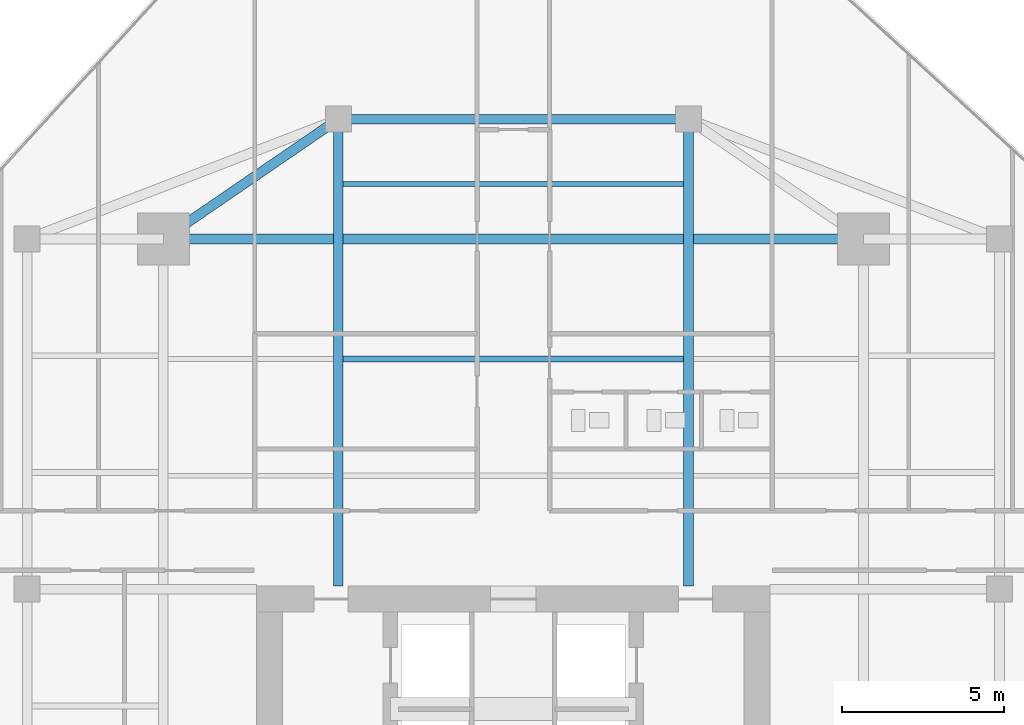
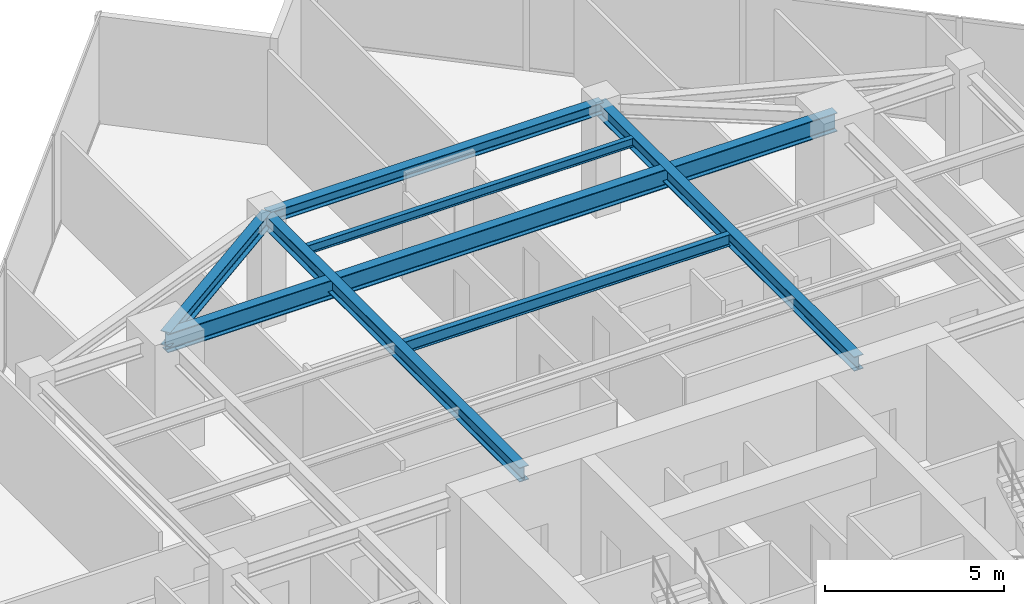
# One storey, part 16 of 26: 7 beams.
"""IFC4 building model written with IfcOpenShell, lengths in metres."""

from ifc_helpers import new_model, si_unit, direction, frame, origin, origin_2d, place, context, subcontext, project, spatial, i_section, extrude, source, transform, mapped, material, material_profile, profile_set, type_object, type_shapes, element, save


model = new_model("IFC4")

# Units and contexts
model_context = context("Model", 3, precision=1e-05, world=origin(), true_north=direction((0.0, 1.0)))
body_context = subcontext(model_context, "Body", "Model", "MODEL_VIEW")
ifc_project = project(units=[si_unit("LENGTHUNIT", "METRE"), si_unit("AREAUNIT", "SQUARE_METRE"), si_unit("VOLUMEUNIT", "CUBIC_METRE"), si_unit("PLANEANGLEUNIT", "RADIAN"), si_unit("MASSUNIT", "GRAM", prefix="KILO")], contexts=[model_context])

# Site, building, storey
site_placement = place(None, origin())
site = spatial("IfcSite", under=ifc_project, at=site_placement, CompositionType="ELEMENT")
building_placement = place(site_placement, origin())
building = spatial("IfcBuilding", under=site, at=building_placement, Name="Krantzveldt Concourse Tower", CompositionType="ELEMENT")
storey_placement = place(building_placement, frame((0.0, 0.0, 223.10009765625)))
storey = spatial("IfcBuildingStorey", under=building, at=storey_placement, Name="L54", CompositionType="ELEMENT", Elevation=223.10009765625)

# Beams
ifc_material = material(Name="Steel S355JR", Category="steel")
ifc_material_profile_1 = material_profile(ifc_material, i_section(OverallWidth=0.300048828125, OverallDepth=0.639892578125, WebThickness=0.013427734375, FlangeThickness=0.02587890625, FilletRadius=0.027099609375, at=origin_2d()), Name="Steel S355JR", Category="steel")
ifc_profile_set_1 = profile_set([ifc_material_profile_1], Name="Steel S355JR - HEA 650")
beam_type_1 = type_object("IfcBeamType", Name="BM-B-HEA650", PredefinedType="BEAM", material=ifc_profile_set_1)
shared_shape_1 = source(origin(), body_context, "Body", "SweptSolid", [
    extrude(i_section(OverallWidth=0.300048828125, OverallDepth=0.639892578125, WebThickness=0.013427734375, FlangeThickness=0.02587890625, FilletRadius=0.027099609375, at=origin_2d()), origin(), (0.0, 0.0, 1.0), 21.60009765625),
])
type_shapes(beam_type_1, [shared_shape_1])
beam_1_placement = place(storey_placement, frame((25.199951171875, 37.5, 3.349853515625), z_axis=(1.0, 0.0, 0.0), x_axis=(0.0, 1.0, 0.0)))
element("IfcBeam", 1, at=beam_1_placement, inside=storey, type_object=beam_type_1, Name="L54 Tower Girder BG-MN", PredefinedType="BEAM", context=body_context, shape_type="MappedRepresentation", body=[
    mapped(shared_shape_1, transform((0.0, 0.0, 0.0), x_axis=(1.0, 0.0, 0.0), y_axis=(0.0, 1.0, 0.0), z_axis=(0.0, 0.0, 1.0), scale=1.0)),
])
ifc_material_profile_2 = material_profile(ifc_material, i_section(OverallWidth=0.179931640625, OverallDepth=0.39990234375, WebThickness=0.008544921875, FlangeThickness=0.013427734375, FilletRadius=0.02099609375, at=origin_2d()), Name="Steel S355JR", Category="steel")
ifc_profile_set_2 = profile_set([ifc_material_profile_2], Name="Steel S355JR - IPE 400")
beam_type_2 = type_object("IfcBeamType", Name="BM-J-IPE400", PredefinedType="JOIST", material=ifc_profile_set_2)
shared_shape_2 = source(origin(), body_context, "Body", "SweptSolid", [
    extrude(i_section(OverallWidth=0.179931640625, OverallDepth=0.39990234375, WebThickness=0.008544921875, FlangeThickness=0.013427734375, FilletRadius=0.02099609375, at=origin_2d()), origin(), (0.0, 0.0, 1.0), 10.5),
])
type_shapes(beam_type_2, [shared_shape_2])
beam_2_placement = place(storey_placement, frame((30.75, 33.800048828125, 3.469970703125), z_axis=(1.0, 0.0, 0.0), x_axis=(0.0, 1.0, 0.0)))
element("IfcBeam", 2, at=beam_2_placement, inside=storey, type_object=beam_type_2, Name="L54 Secondary Floor Joist JN-C2", PredefinedType="JOIST", context=body_context, shape_type="MappedRepresentation", body=[
    mapped(shared_shape_2, transform((0.0, 0.0, 0.0), x_axis=(1.0, 0.0, 0.0), y_axis=(0.0, 1.0, 0.0), z_axis=(0.0, 0.0, 1.0), scale=1.0)),
])
ifc_material_profile_3 = material_profile(ifc_material, i_section(OverallWidth=0.300048828125, OverallDepth=0.389892578125, WebThickness=0.010986328125, FlangeThickness=0.01904296875, FilletRadius=0.027099609375, at=origin_2d()), Name="Steel S355JR", Category="steel")
ifc_profile_set_3 = profile_set([ifc_material_profile_3], Name="Steel S355JR - HEA 400")
beam_type_3 = type_object("IfcBeamType", Name="BM-SP-HEA400", PredefinedType="SPANDREL", material=ifc_profile_set_3)
shared_shape_3 = source(origin(), body_context, "Body", "SweptSolid", [
    extrude(i_section(OverallWidth=0.300048828125, OverallDepth=0.389892578125, WebThickness=0.010986328125, FlangeThickness=0.01904296875, FilletRadius=0.027099609375, at=origin_2d()), origin(), (0.0, 0.0, 1.0), 10.7998046875),
])
type_shapes(beam_type_3, [shared_shape_3])
beam_3_placement = place(storey_placement, frame((30.60009765625, 41.199951171875, 3.474853515625), z_axis=(1.0, 0.0, 0.0), x_axis=(0.0, 1.0, 0.0)))
element("IfcBeam", 3, at=beam_3_placement, inside=storey, type_object=beam_type_3, Name="L54 Tower Girder SP-R04", PredefinedType="SPANDREL", context=body_context, shape_type="MappedRepresentation", body=[
    mapped(shared_shape_3, transform((0.0, 0.0, 0.0), x_axis=(1.0, 0.0, 0.0), y_axis=(0.0, 1.0, 0.0), z_axis=(0.0, 0.0, 1.0), scale=1.0)),
])
ifc_material_profile_4 = material_profile(ifc_material, i_section(OverallWidth=0.300048828125, OverallDepth=0.489990234375, WebThickness=0.011962890625, FlangeThickness=0.02294921875, FilletRadius=0.027099609375, at=origin_2d()), Name="Steel S355JR", Category="steel")
ifc_profile_set_4 = profile_set([ifc_material_profile_4], Name="Steel S355JR - HEA 500")
beam_type_4 = type_object("IfcBeamType", Name="BM-B-HEA500", PredefinedType="BEAM", material=ifc_profile_set_4)
shared_shape_4 = source(origin(), body_context, "Body", "SweptSolid", [
    extrude(i_section(OverallWidth=0.300048828125, OverallDepth=0.489990234375, WebThickness=0.011962890625, FlangeThickness=0.02294921875, FilletRadius=0.027099609375, at=origin_2d()), origin(), (0.0, 0.0, 1.0), 14.39990234375),
])
for number, where, z_axis, x_axis, name in (
    (4, (30.60009765625, 26.800048828125, 3.4248046875), (0.0, 1.0, 0.0), (-1.0, 0.0, 0.0), "L54 Tower Girder BG-CNW"),
    (5, (41.39990234375, 26.800048828125, 3.4248046875), (0.0, 1.0, 0.0), (-1.0, 0.0, 0.0), "L54 Tower Girder BG-CNE"),
):
    element("IfcBeam", number, at=place(storey_placement, frame(where, z_axis=z_axis, x_axis=x_axis)), inside=storey, type_object=beam_type_4, Name=name, PredefinedType="BEAM", context=body_context, shape_type="MappedRepresentation", body=[
        mapped(shared_shape_4, transform((0.0, 0.0, 0.0), x_axis=(1.0, 0.0, 0.0), y_axis=(0.0, 1.0, 0.0), z_axis=(0.0, 0.0, 1.0), scale=1.0)),
    ])
shared_shape_5 = source(origin(), body_context, "Body", "SweptSolid", [
    extrude(i_section(OverallWidth=0.300048828125, OverallDepth=0.489990234375, WebThickness=0.011962890625, FlangeThickness=0.02294921875, FilletRadius=0.027099609375, at=origin_2d()), origin(), (0.0, 0.0, 1.0), 6.546142578125),
])
type_shapes(beam_type_4, [shared_shape_4, shared_shape_5])
beam_4_placement = place(storey_placement, frame((25.199951171875, 37.5, 3.4248046875), z_axis=(0.824942999484, 0.565215930068, 0.0), x_axis=(-0.565215930068, 0.824942999484, 0.0)))
element("IfcBeam", 6, at=beam_4_placement, inside=storey, type_object=beam_type_4, Name="L54 Tower Girder BR-RL4", PredefinedType="BEAM", context=body_context, shape_type="MappedRepresentation", body=[
    mapped(shared_shape_5, transform((0.0, 0.0, 0.0), x_axis=(1.0, 0.0, 0.0), y_axis=(0.0, 1.0, 0.0), z_axis=(0.0, 0.0, 1.0), scale=1.0)),
])
ifc_material_profile_5 = material_profile(ifc_material, i_section(OverallWidth=0.14990234375, OverallDepth=0.300048828125, WebThickness=0.007080078125, FlangeThickness=0.0107421875, FilletRadius=0.014892578125, at=origin_2d()), Name="Steel S355JR", Category="steel")
ifc_profile_set_5 = profile_set([ifc_material_profile_5], Name="Steel S355JR - IPE 300")
beam_type_5 = type_object("IfcBeamType", Name="BM-J-IPE300", PredefinedType="JOIST", material=ifc_profile_set_5)
shared_shape_6 = source(origin(), body_context, "Body", "SweptSolid", [
    extrude(i_section(OverallWidth=0.14990234375, OverallDepth=0.300048828125, WebThickness=0.007080078125, FlangeThickness=0.0107421875, FilletRadius=0.014892578125, at=origin_2d()), origin(), (0.0, 0.0, 1.0), 10.5),
])
type_shapes(beam_type_5, [shared_shape_6])
beam_5_placement = place(storey_placement, frame((30.75, 39.199951171875, 3.52001953125), z_axis=(1.0, 0.0, 0.0), x_axis=(0.0, 1.0, 0.0)))
element("IfcBeam", 7, at=beam_5_placement, inside=storey, type_object=beam_type_5, Name="L54 Secondary Floor Joist JN-C3", PredefinedType="JOIST", context=body_context, shape_type="MappedRepresentation", body=[
    mapped(shared_shape_6, transform((0.0, 0.0, 0.0), x_axis=(1.0, 0.0, 0.0), y_axis=(0.0, 1.0, 0.0), z_axis=(0.0, 0.0, 1.0), scale=1.0)),
])

save(model, "model.ifc")
